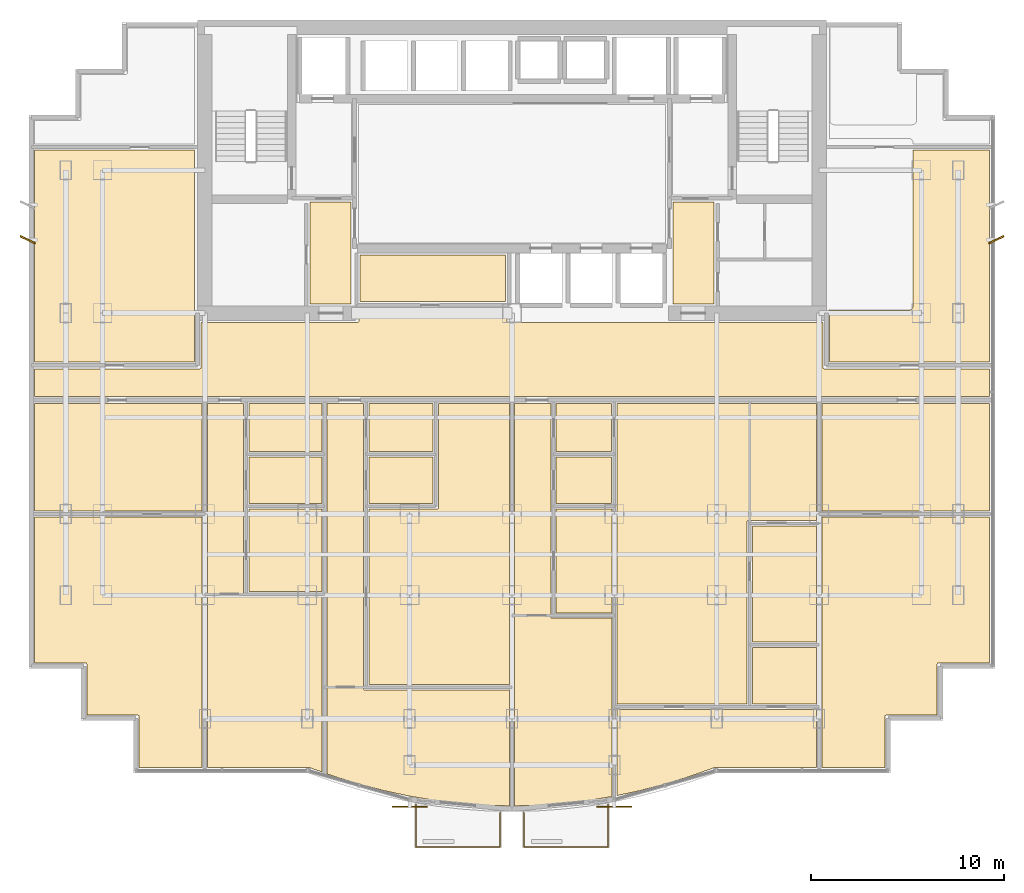
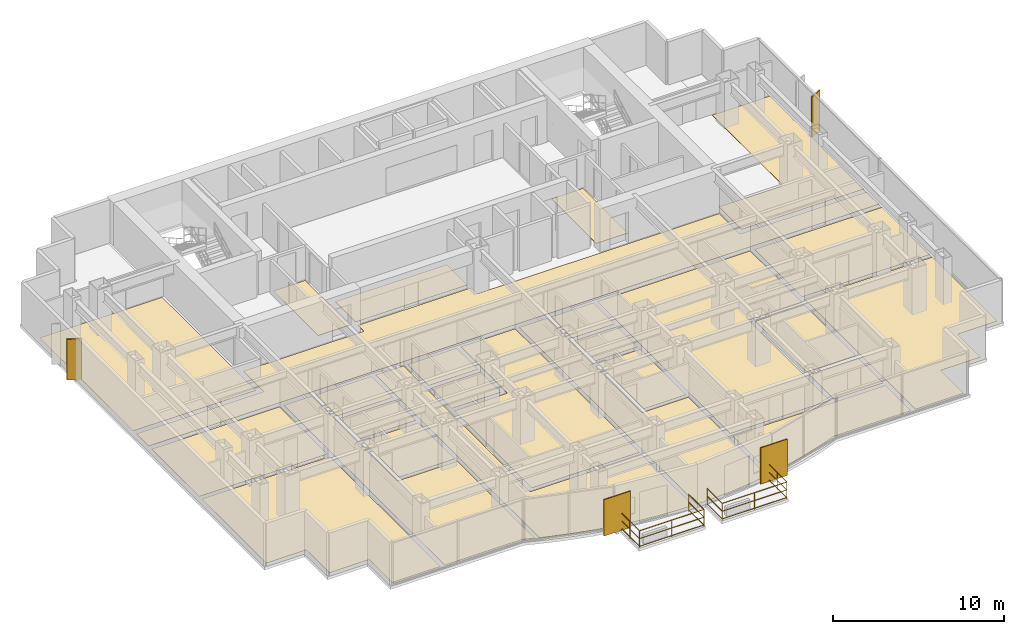
# One storey, part 11 of 12: 26 coverings, 4 shading devices, 2 railings.
"""IFC4 building model written with IfcOpenShell, lengths in metres."""

from ifc_helpers import new_model, si_unit, direction, frame, origin, origin_2d, place, context, subcontext, project, spatial, polyline, rectangle, circle, outline, extrude, source, transform, mapped, material, layer, layer_set, type_object, element, save


model = new_model("IFC4")

# Units and contexts
model_context = context("Model", 3, precision=1e-05, world=origin(), true_north=direction((0.0, 1.0)))
body_context = subcontext(model_context, "Body", "Model", "MODEL_VIEW")
ifc_project = project(units=[si_unit("LENGTHUNIT", "METRE"), si_unit("AREAUNIT", "SQUARE_METRE"), si_unit("VOLUMEUNIT", "CUBIC_METRE"), si_unit("PLANEANGLEUNIT", "RADIAN"), si_unit("MASSUNIT", "GRAM", prefix="KILO")], contexts=[model_context])

# Site, building, storey
site_placement = place(None, origin())
site = spatial("IfcSite", under=ifc_project, at=site_placement, CompositionType="ELEMENT")
building_placement = place(site_placement, origin())
building = spatial("IfcBuilding", under=site, at=building_placement, Name="Qianlan Lanfeng Residences", CompositionType="ELEMENT")
storey_placement = place(building_placement, frame((0.0, 0.0, 85.0)))
storey = spatial("IfcBuildingStorey", under=building, at=storey_placement, Name="L22", CompositionType="ELEMENT", Elevation=85.0)

# Coverings
ifc_material_1 = material(Name="Honed Taitung Granite Stone Flooring", Category="masonry")
ifc_layer_1 = layer(ifc_material_1, 0.030029296875)
ifc_layer_set_1 = layer_set([ifc_layer_1], Name="Honed Taitung Granite Stone Flooring")
covering_type_1 = type_object("IfcCoveringType", Name="FLR-STN-30", PredefinedType="FLOORING", material=ifc_layer_set_1)
covering_1_placement = place(storey_placement, origin())
element("IfcCovering", 1, at=covering_1_placement, inside=storey, type_object=covering_type_1, Name="L22 Residential Corridor Floor Finish", PredefinedType="FLOORING", context=body_context, shape_type="SweptSolid", body=[
    extrude(outline(polyline([(1.7900390625, 20.8798828125), (51.2099609375, 20.8798828125), (51.2099609375, 22.320068359375), (42.6650390625, 22.320068359375), (42.657958984375, 22.320068359375), (42.65087890625, 22.321044921875), (42.64501953125, 22.322998046875), (42.637939453125, 22.324951171875), (42.632080078125, 22.327880859375), (42.6259765625, 22.33203125), (42.62109375, 22.3359375), (42.615966796875, 22.341064453125), (42.611083984375, 22.345947265625), (42.60693359375, 22.35107421875), (42.60302734375, 22.35693359375), (42.60009765625, 22.363037109375), (42.597900390625, 22.3701171875), (42.595947265625, 22.3759765625), (42.594970703125, 22.383056640625), (42.594970703125, 22.389892578125), (42.594970703125, 24.72509765625), (26.300048828125, 24.72509765625), (26.29296875, 24.72509765625), (26.285888671875, 24.72607421875), (26.280029296875, 24.72802734375), (26.27294921875, 24.72998046875), (26.26708984375, 24.73291015625), (26.260986328125, 24.737060546875), (26.256103515625, 24.740966796875), (26.2509765625, 24.74609375), (26.24609375, 24.7509765625), (26.241943359375, 24.756103515625), (26.238037109375, 24.761962890625), (26.235107421875, 24.76806640625), (26.23291015625, 24.77490234375), (26.23095703125, 24.781005859375), (26.22998046875, 24.7880859375), (26.22998046875, 24.794921875), (26.22998046875, 25.429931640625), (18.570068359375, 25.429931640625), (18.570068359375, 24.794921875), (18.570068359375, 24.7880859375), (18.569091796875, 24.781005859375), (18.56689453125, 24.77490234375), (18.56494140625, 24.76806640625), (18.56201171875, 24.761962890625), (18.55810546875, 24.756103515625), (18.553955078125, 24.7509765625), (18.549072265625, 24.74609375), (18.5439453125, 24.740966796875), (18.5390625, 24.737060546875), (18.532958984375, 24.73291015625), (18.527099609375, 24.72998046875), (18.52001953125, 24.72802734375), (18.513916015625, 24.72607421875), (18.507080078125, 24.72509765625), (18.5, 24.72509765625), (10.405029296875, 24.72509765625), (10.405029296875, 22.389892578125), (10.405029296875, 22.383056640625), (10.404052734375, 22.3759765625), (10.402099609375, 22.3701171875), (10.39990234375, 22.363037109375), (10.39697265625, 22.35693359375), (10.39306640625, 22.35107421875), (10.388916015625, 22.345947265625), (10.384033203125, 22.341064453125), (10.37890625, 22.3359375), (10.3740234375, 22.33203125), (10.367919921875, 22.327880859375), (10.362060546875, 22.324951171875), (10.35498046875, 22.322998046875), (10.34912109375, 22.321044921875), (10.342041015625, 22.320068359375), (10.3349609375, 22.320068359375), (1.7900390625, 22.320068359375), (1.7900390625, 20.8798828125)])), origin(), (0.0, 0.0, 1.0), 0.030029296875),
])
covering_2_placement = place(storey_placement, origin())
element("IfcCovering", 2, at=covering_2_placement, inside=storey, type_object=covering_type_1, Name="L22 Lift Lobby Floor Finish", PredefinedType="FLOORING", context=body_context, shape_type="SweptSolid", body=[
    extrude(outline(polyline([(16.030029296875, 25.68505859375), (18.169921875, 25.68505859375), (18.169921875, 30.949951171875), (16.030029296875, 30.949951171875), (16.030029296875, 25.68505859375)])), origin(), (0.0, 0.0, 1.0), 0.030029296875),
])
covering_3_placement = place(storey_placement, origin())
element("IfcCovering", 3, at=covering_3_placement, inside=storey, type_object=covering_type_1, Name="L22 Lift Lobby Floor Finish", PredefinedType="FLOORING", context=body_context, shape_type="SweptSolid", body=[
    extrude(outline(polyline([(34.830078125, 25.68505859375), (36.969970703125, 25.68505859375), (36.969970703125, 30.949951171875), (34.830078125, 30.949951171875), (34.830078125, 25.68505859375)])), origin(), (0.0, 0.0, 1.0), 0.030029296875),
])
ifc_material_2 = material(Name="Slip-Resistant Porcelain Tile Flooring")
ifc_layer_2 = layer(ifc_material_2, 0.02001953125)
ifc_layer_set_2 = layer_set([ifc_layer_2], Name="Slip-Resistant Porcelain Tile Flooring")
covering_type_2 = type_object("IfcCoveringType", Name="FLR-TIL-20", PredefinedType="FLOORING", material=ifc_layer_set_2)
covering_4_placement = place(storey_placement, origin())
element("IfcCovering", 4, at=covering_4_placement, inside=storey, type_object=covering_type_2, Name="L22 Kitchen Floor Finish", PredefinedType="FLOORING", context=body_context, shape_type="SweptSolid", body=[
    extrude(outline(polyline([(12.889892578125, 15.340087890625), (16.659912109375, 15.340087890625), (16.659912109375, 17.760009765625), (12.889892578125, 17.760009765625), (12.889892578125, 15.340087890625)])), origin(), (0.0, 0.0, 1.0), 0.02001953125),
])
covering_5_placement = place(storey_placement, origin())
element("IfcCovering", 5, at=covering_5_placement, inside=storey, type_object=covering_type_2, Name="L22 Bathroom Floor Finish", PredefinedType="FLOORING", context=body_context, shape_type="SweptSolid", body=[
    extrude(outline(polyline([(12.889892578125, 18.0400390625), (16.659912109375, 18.0400390625), (16.659912109375, 20.530029296875), (12.889892578125, 20.530029296875), (12.889892578125, 18.0400390625)])), origin(), (0.0, 0.0, 1.0), 0.02001953125),
])
covering_6_placement = place(storey_placement, origin())
element("IfcCovering", 6, at=covering_6_placement, inside=storey, type_object=covering_type_2, Name="L22 Kitchen Floor Finish", PredefinedType="FLOORING", context=body_context, shape_type="SweptSolid", body=[
    extrude(outline(polyline([(19.090087890625, 15.340087890625), (22.409912109375, 15.340087890625), (22.409912109375, 17.760009765625), (19.090087890625, 17.760009765625), (19.090087890625, 15.340087890625)])), origin(), (0.0, 0.0, 1.0), 0.02001953125),
])
covering_7_placement = place(storey_placement, origin())
element("IfcCovering", 7, at=covering_7_placement, inside=storey, type_object=covering_type_2, Name="L22 Bathroom Floor Finish", PredefinedType="FLOORING", context=body_context, shape_type="SweptSolid", body=[
    extrude(outline(polyline([(19.090087890625, 18.0400390625), (22.409912109375, 18.0400390625), (22.409912109375, 20.530029296875), (19.090087890625, 20.530029296875), (19.090087890625, 18.0400390625)])), origin(), (0.0, 0.0, 1.0), 0.02001953125),
])
covering_8_placement = place(storey_placement, origin())
element("IfcCovering", 8, at=covering_8_placement, inside=storey, type_object=covering_type_2, Name="L22 Kitchen Floor Finish", PredefinedType="FLOORING", context=body_context, shape_type="SweptSolid", body=[
    extrude(outline(polyline([(28.7900390625, 15.340087890625), (31.659912109375, 15.340087890625), (31.659912109375, 17.760009765625), (28.7900390625, 17.760009765625), (28.7900390625, 15.340087890625)])), origin(), (0.0, 0.0, 1.0), 0.02001953125),
])
covering_9_placement = place(storey_placement, origin())
element("IfcCovering", 9, at=covering_9_placement, inside=storey, type_object=covering_type_2, Name="L22 Bathroom Floor Finish", PredefinedType="FLOORING", context=body_context, shape_type="SweptSolid", body=[
    extrude(outline(polyline([(28.7900390625, 18.0400390625), (31.659912109375, 18.0400390625), (31.659912109375, 20.530029296875), (28.7900390625, 20.530029296875), (28.7900390625, 18.0400390625)])), origin(), (0.0, 0.0, 1.0), 0.02001953125),
])
covering_10_placement = place(storey_placement, origin())
element("IfcCovering", 10, at=covering_10_placement, inside=storey, type_object=covering_type_2, Name="L22 En-Suite Bathroom Floor Finish", PredefinedType="FLOORING", context=body_context, shape_type="SweptSolid", body=[
    extrude(outline(polyline([(38.93994140625, 4.968017578125), (42.27001953125, 4.968017578125), (42.27001953125, 7.887939453125), (38.93994140625, 7.887939453125), (38.93994140625, 4.968017578125)])), origin(), (0.0, 0.0, 1.0), 0.02001953125),
])
ifc_material_3 = material(Name="Engineered Smoked Oak Timber Flooring", Category="wood")
ifc_layer_3 = layer(ifc_material_3, 0.02197265625)
ifc_layer_set_3 = layer_set([ifc_layer_3], Name="Engineered Smoked Oak Timber Flooring")
covering_type_3 = type_object("IfcCoveringType", Name="FLR-TIM-22", PredefinedType="FLOORING", material=ifc_layer_set_3)
covering_11_placement = place(storey_placement, origin())
element("IfcCovering", 11, at=covering_11_placement, inside=storey, type_object=covering_type_3, Name="L22 Resident Reading Lounge Floor Finish", PredefinedType="FLOORING", context=body_context, shape_type="SweptSolid", body=[
    extrude(outline(polyline([(18.6298828125, 25.800048828125), (26.169921875, 25.800048828125), (26.169921875, 28.205078125), (18.6298828125, 28.205078125), (18.6298828125, 25.800048828125)])), origin(), (0.0, 0.0, 1.0), 0.02197265625),
])
covering_12_placement = place(storey_placement, origin())
element("IfcCovering", 12, at=covering_12_placement, inside=storey, type_object=covering_type_3, Name="L22 Studio Living Room Floor Finish", PredefinedType="FLOORING", context=body_context, shape_type="SweptSolid", body=[
    extrude(outline(polyline([(16.669921875, 1.44189453125), (16.669921875, 10.511962890625), (12.679931640625, 10.511962890625), (12.673095703125, 10.511962890625), (12.666015625, 10.512939453125), (12.659912109375, 10.514892578125), (12.653076171875, 10.51708984375), (12.64697265625, 10.52001953125), (12.64111328125, 10.52392578125), (12.635986328125, 10.528076171875), (12.631103515625, 10.532958984375), (12.6259765625, 10.5380859375), (12.6220703125, 10.54296875), (12.617919921875, 10.549072265625), (12.614990234375, 10.554931640625), (12.613037109375, 10.56201171875), (12.611083984375, 10.568115234375), (12.610107421875, 10.574951171875), (12.610107421875, 10.58203125), (12.610107421875, 20.530029296875), (10.72998046875, 20.530029296875), (10.72998046875, 1.68994140625), (15.9580078125, 1.68994140625), (15.966064453125, 1.68994140625), (15.97412109375, 1.68798828125), (15.98095703125, 1.68603515625), (16.669921875, 1.44189453125)])), origin(), (0.0, 0.0, 1.0), 0.02197265625),
])
covering_13_placement = place(storey_placement, origin())
element("IfcCovering", 13, at=covering_13_placement, inside=storey, type_object=covering_type_3, Name="L22 Villa Family Sitting Room Floor Finish", PredefinedType="FLOORING", context=body_context, shape_type="SweptSolid", body=[
    extrude(outline(polyline([(12.889892578125, 15.06005859375), (12.889892578125, 10.7919921875), (16.669921875, 10.7919921875), (16.669921875, 15.06005859375), (12.889892578125, 15.06005859375)])), origin(), (0.0, 0.0, 1.0), 0.02197265625),
])
covering_14_placement = place(storey_placement, origin())
element("IfcCovering", 14, at=covering_14_placement, inside=storey, type_object=covering_type_3, Name="L22 Studio Living Room Floor Finish", PredefinedType="FLOORING", context=body_context, shape_type="SweptSolid", body=[
    extrude(outline(polyline([(26.3701171875, -0.306884765625), (26.3701171875, 5.68310546875), (18.8798828125, 5.68310546875), (18.873046875, 5.68310546875), (18.865966796875, 5.68408203125), (18.860107421875, 5.68603515625), (18.85302734375, 5.68798828125), (18.846923828125, 5.69091796875), (18.841064453125, 5.695068359375), (18.8359375, 5.698974609375), (18.8310546875, 5.7041015625), (18.825927734375, 5.708984375), (18.822021484375, 5.714111328125), (18.818115234375, 5.719970703125), (18.81494140625, 5.72607421875), (18.81298828125, 5.73291015625), (18.81103515625, 5.739013671875), (18.81005859375, 5.74609375), (18.81005859375, 5.7529296875), (18.81005859375, 20.530029296875), (16.929931640625, 20.530029296875), (16.929931640625, 1.34912109375), (17.3330078125, 1.2060546875), (18.64404296875, 0.803955078125), (19.9541015625, 0.462890625), (21.263916015625, 0.18505859375), (22.572998046875, -0.031982421875), (23.882080078125, -0.18603515625), (25.19091796875, -0.279052734375), (26.3701171875, -0.306884765625)])), origin(), (0.0, 0.0, 1.0), 0.02197265625),
])
covering_15_placement = place(storey_placement, origin())
element("IfcCovering", 15, at=covering_15_placement, inside=storey, type_object=covering_type_3, Name="L22 Villa Family Sitting Room Floor Finish", PredefinedType="FLOORING", context=body_context, shape_type="SweptSolid", body=[
    extrude(outline(polyline([(19.090087890625, 5.962890625), (26.3701171875, 5.962890625), (26.3701171875, 20.530029296875), (22.68994140625, 20.530029296875), (22.68994140625, 15.1298828125), (22.68994140625, 15.123046875), (22.68896484375, 15.115966796875), (22.68701171875, 15.110107421875), (22.68505859375, 15.10302734375), (22.681884765625, 15.096923828125), (22.677978515625, 15.091064453125), (22.674072265625, 15.0859375), (22.6689453125, 15.0810546875), (22.6640625, 15.075927734375), (22.658935546875, 15.072021484375), (22.653076171875, 15.068115234375), (22.64697265625, 15.06494140625), (22.639892578125, 15.06298828125), (22.634033203125, 15.06103515625), (22.626953125, 15.06005859375), (22.6201171875, 15.06005859375), (19.090087890625, 15.06005859375), (19.090087890625, 5.962890625)])), origin(), (0.0, 0.0, 1.0), 0.02197265625),
])
covering_16_placement = place(storey_placement, origin())
element("IfcCovering", 16, at=covering_16_placement, inside=storey, type_object=covering_type_3, Name="L22 Living and Dining Room Floor Finish", PredefinedType="FLOORING", context=body_context, shape_type="SweptSolid", body=[
    extrude(outline(polyline([(31.669921875, 0.174072265625), (31.669921875, 9.406982421875), (28.580078125, 9.406982421875), (28.572998046875, 9.406982421875), (28.56591796875, 9.407958984375), (28.56005859375, 9.409912109375), (28.552978515625, 9.412109375), (28.547119140625, 9.4150390625), (28.541015625, 9.4189453125), (28.535888671875, 9.423095703125), (28.531005859375, 9.427978515625), (28.52587890625, 9.43310546875), (28.52197265625, 9.43798828125), (28.51806640625, 9.444091796875), (28.514892578125, 9.449951171875), (28.512939453125, 9.45703125), (28.510986328125, 9.462890625), (28.510009765625, 9.469970703125), (28.510009765625, 9.47705078125), (28.510009765625, 20.530029296875), (26.6298828125, 20.530029296875), (26.6298828125, -0.306884765625), (27.80810546875, -0.279052734375), (29.117919921875, -0.18603515625), (30.426025390625, -0.031982421875), (31.669921875, 0.174072265625)])), origin(), (0.0, 0.0, 1.0), 0.02197265625),
])
covering_17_placement = place(storey_placement, origin())
element("IfcCovering", 17, at=covering_17_placement, inside=storey, type_object=covering_type_3, Name="L22 Villa Family Sitting Room Floor Finish", PredefinedType="FLOORING", context=body_context, shape_type="SweptSolid", body=[
    extrude(outline(polyline([(28.7900390625, 15.06005859375), (28.7900390625, 9.68701171875), (31.669921875, 9.68701171875), (31.669921875, 15.06005859375), (28.7900390625, 15.06005859375)])), origin(), (0.0, 0.0, 1.0), 0.02197265625),
])
covering_18_placement = place(storey_placement, origin())
element("IfcCovering", 18, at=covering_18_placement, inside=storey, type_object=covering_type_3, Name="L22 Private Study Floor Finish", PredefinedType="FLOORING", context=body_context, shape_type="SweptSolid", body=[
    extrude(outline(polyline([(38.93994140625, 8.16796875), (42.27001953125, 8.16796875), (42.27001953125, 14.174072265625), (38.93994140625, 14.174072265625), (38.93994140625, 8.16796875)])), origin(), (0.0, 0.0, 1.0), 0.02197265625),
])
covering_19_placement = place(storey_placement, origin())
element("IfcCovering", 19, at=covering_19_placement, inside=storey, type_object=covering_type_3, Name="L22 Villa Family Sitting Room Floor Finish", PredefinedType="FLOORING", context=body_context, shape_type="SweptSolid", body=[
    extrude(outline(polyline([(31.929931640625, 4.968017578125), (38.659912109375, 4.968017578125), (38.659912109375, 14.384033203125), (38.659912109375, 14.39111328125), (38.660888671875, 14.39794921875), (38.6630859375, 14.404052734375), (38.6650390625, 14.410888671875), (38.66796875, 14.4169921875), (38.672119140625, 14.423095703125), (38.676025390625, 14.427978515625), (38.680908203125, 14.43310546875), (38.68603515625, 14.43798828125), (38.69091796875, 14.44189453125), (38.697021484375, 14.446044921875), (38.702880859375, 14.448974609375), (38.7099609375, 14.450927734375), (38.716064453125, 14.452880859375), (38.722900390625, 14.4541015625), (38.72998046875, 14.4541015625), (42.27001953125, 14.4541015625), (42.27001953125, 20.530029296875), (31.929931640625, 20.530029296875), (31.929931640625, 4.968017578125)])), origin(), (0.0, 0.0, 1.0), 0.02197265625),
])
covering_20_placement = place(storey_placement, origin())
element("IfcCovering", 20, at=covering_20_placement, inside=storey, type_object=covering_type_3, Name="L22 Master Bedroom Floor Finish", PredefinedType="FLOORING", context=body_context, shape_type="SweptSolid", body=[
    extrude(outline(polyline([(31.929931640625, 4.68798828125), (31.929931640625, 0.22607421875), (33.044921875, 0.462890625), (34.35595703125, 0.803955078125), (35.6669921875, 1.2060546875), (37.01904296875, 1.68603515625), (37.02587890625, 1.68798828125), (37.033935546875, 1.68994140625), (37.0419921875, 1.68994140625), (42.27001953125, 1.68994140625), (42.27001953125, 4.68798828125), (31.929931640625, 4.68798828125)])), origin(), (0.0, 0.0, 1.0), 0.02197265625),
])
covering_21_placement = place(storey_placement, origin())
element("IfcCovering", 21, at=covering_21_placement, inside=storey, type_object=covering_type_3, Name="L22 Sunroom Floor Finish", PredefinedType="FLOORING", context=body_context, shape_type="SweptSolid", body=[
    extrude(outline(polyline([(10.43994140625, 14.64990234375), (1.7900390625, 14.64990234375), (1.7900390625, 7.090087890625), (4.419921875, 7.090087890625), (4.427001953125, 7.090087890625), (4.43408203125, 7.089111328125), (4.43994140625, 7.0869140625), (4.447021484375, 7.0849609375), (4.452880859375, 7.08203125), (4.458984375, 7.077880859375), (4.464111328125, 7.073974609375), (4.468994140625, 7.069091796875), (4.47412109375, 7.06396484375), (4.47802734375, 7.05908203125), (4.48193359375, 7.052978515625), (4.485107421875, 7.047119140625), (4.487060546875, 7.0400390625), (4.489013671875, 7.033935546875), (4.489990234375, 7.027099609375), (4.489990234375, 7.02001953125), (4.489990234375, 4.389892578125), (7.1201171875, 4.389892578125), (7.126953125, 4.389892578125), (7.134033203125, 4.388916015625), (7.139892578125, 4.386962890625), (7.14697265625, 4.385009765625), (7.153076171875, 4.382080078125), (7.158935546875, 4.3779296875), (7.1640625, 4.3740234375), (7.1689453125, 4.368896484375), (7.174072265625, 4.364013671875), (7.177978515625, 4.35888671875), (7.181884765625, 4.35302734375), (7.18505859375, 4.346923828125), (7.18701171875, 4.340087890625), (7.18896484375, 4.333984375), (7.18994140625, 4.326904296875), (7.18994140625, 4.320068359375), (7.18994140625, 1.68994140625), (10.43994140625, 1.68994140625), (10.43994140625, 14.64990234375)])), origin(), (0.0, 0.0, 1.0), 0.02197265625),
])
covering_22_placement = place(storey_placement, origin())
element("IfcCovering", 22, at=covering_22_placement, inside=storey, type_object=covering_type_3, Name="L22 Family Sitting Room Floor Finish", PredefinedType="FLOORING", context=body_context, shape_type="SweptSolid", body=[
    extrude(outline(polyline([(10.43994140625, 20.530029296875), (1.7900390625, 20.530029296875), (1.7900390625, 14.949951171875), (10.43994140625, 14.949951171875), (10.43994140625, 20.530029296875)])), origin(), (0.0, 0.0, 1.0), 0.02197265625),
])
covering_23_placement = place(storey_placement, origin())
element("IfcCovering", 23, at=covering_23_placement, inside=storey, type_object=covering_type_3, Name="L22 Sunroom Floor Finish", PredefinedType="FLOORING", context=body_context, shape_type="SweptSolid", body=[
    extrude(outline(polyline([(51.2099609375, 14.64990234375), (42.56005859375, 14.64990234375), (42.56005859375, 1.68994140625), (45.81005859375, 1.68994140625), (45.81005859375, 4.320068359375), (45.81005859375, 4.326904296875), (45.81103515625, 4.333984375), (45.81298828125, 4.340087890625), (45.81494140625, 4.346923828125), (45.818115234375, 4.35302734375), (45.822021484375, 4.35888671875), (45.825927734375, 4.364013671875), (45.8310546875, 4.368896484375), (45.8359375, 4.3740234375), (45.841064453125, 4.3779296875), (45.846923828125, 4.382080078125), (45.85302734375, 4.385009765625), (45.860107421875, 4.386962890625), (45.865966796875, 4.388916015625), (45.873046875, 4.389892578125), (45.8798828125, 4.389892578125), (48.510009765625, 4.389892578125), (48.510009765625, 7.02001953125), (48.510009765625, 7.027099609375), (48.510986328125, 7.033935546875), (48.512939453125, 7.0400390625), (48.514892578125, 7.047119140625), (48.51806640625, 7.052978515625), (48.52197265625, 7.05908203125), (48.52587890625, 7.06396484375), (48.531005859375, 7.069091796875), (48.535888671875, 7.073974609375), (48.541015625, 7.077880859375), (48.547119140625, 7.08203125), (48.552978515625, 7.0849609375), (48.56005859375, 7.0869140625), (48.56591796875, 7.089111328125), (48.572998046875, 7.090087890625), (48.580078125, 7.090087890625), (51.2099609375, 7.090087890625), (51.2099609375, 14.64990234375)])), origin(), (0.0, 0.0, 1.0), 0.02197265625),
])
covering_24_placement = place(storey_placement, origin())
element("IfcCovering", 24, at=covering_24_placement, inside=storey, type_object=covering_type_3, Name="L22 Private Study Floor Finish", PredefinedType="FLOORING", context=body_context, shape_type="SweptSolid", body=[
    extrude(outline(polyline([(51.2099609375, 20.530029296875), (42.56005859375, 20.530029296875), (42.56005859375, 14.949951171875), (51.2099609375, 14.949951171875), (51.2099609375, 20.530029296875)])), origin(), (0.0, 0.0, 1.0), 0.02197265625),
])
covering_25_placement = place(storey_placement, origin())
element("IfcCovering", 25, at=covering_25_placement, inside=storey, type_object=covering_type_3, Name="L22 Business Meeting Room Floor Finish", PredefinedType="FLOORING", context=body_context, shape_type="SweptSolid", body=[
    extrude(outline(polyline([(10.074951171875, 33.64990234375), (1.7900390625, 33.64990234375), (1.7900390625, 22.679931640625), (10.074951171875, 22.679931640625), (10.074951171875, 33.64990234375)])), origin(), (0.0, 0.0, 1.0), 0.02197265625),
])
covering_26_placement = place(storey_placement, origin())
element("IfcCovering", 26, at=covering_26_placement, inside=storey, type_object=covering_type_3, Name="L22 Business Meeting Room Floor Finish", PredefinedType="FLOORING", context=body_context, shape_type="SweptSolid", body=[
    extrude(outline(polyline([(51.2099609375, 33.64990234375), (47.27001953125, 33.64990234375), (47.27001953125, 25.60009765625), (47.26904296875, 25.574951171875), (47.264892578125, 25.551025390625), (47.259033203125, 25.527099609375), (47.2509765625, 25.50390625), (47.239990234375, 25.48193359375), (47.22802734375, 25.4609375), (47.212890625, 25.44091796875), (47.197021484375, 25.423095703125), (47.178955078125, 25.406982421875), (47.158935546875, 25.39208984375), (47.137939453125, 25.3798828125), (47.115966796875, 25.368896484375), (47.093017578125, 25.361083984375), (47.069091796875, 25.35498046875), (47.044921875, 25.35107421875), (47.02001953125, 25.35009765625), (43.080078125, 25.35009765625), (43.054931640625, 25.35107421875), (43.031005859375, 25.35498046875), (43.007080078125, 25.361083984375), (42.98388671875, 25.368896484375), (42.9619140625, 25.3798828125), (42.94091796875, 25.39208984375), (42.925048828125, 25.404052734375), (42.925048828125, 22.679931640625), (51.2099609375, 22.679931640625), (51.2099609375, 33.64990234375)])), origin(), (0.0, 0.0, 1.0), 0.02197265625),
])

# Railings
ifc_material_4 = material(Name="Anodised Bronze Aluminium and Laminated Glass Guard Balustrade", Category="aluminium")
railing_type = type_object("IfcRailingType", Name="GR-EXT-1220", PredefinedType="BALUSTRADE", material=ifc_material_4)
railing_1_placement = place(storey_placement, frame((25.8798828125, -0.655029296875, 0.0)))
element("IfcRailing", 27, at=railing_1_placement, inside=storey, type_object=railing_type, Name="L22 Terrace Safety Guard GR-L22-SB-W", PredefinedType="BALUSTRADE", context=body_context, shape_type="SweptSolid", body=[
    extrude(circle(Radius=0.02490234375, at=origin_2d()), frame((0.0, 0.0, 0.0849609375), z_axis=(0.0, -1.0, 0.0), x_axis=(1.0, 0.0, 0.0)), (0.0, 0.0, 1.0), 1.77490234375),
    extrude(circle(Radius=0.02490234375, at=origin_2d()), frame((0.0, 0.0, 0.63427734375), z_axis=(0.0, -1.0, 0.0), x_axis=(1.0, 0.0, 0.0)), (0.0, 0.0, 1.0), 1.77490234375),
    extrude(circle(Radius=0.02490234375, at=origin_2d()), frame((0.0, 0.0, 1.19482421875), z_axis=(0.0, -1.0, 0.0), x_axis=(1.0, 0.0, 0.0)), (0.0, 0.0, 1.0), 1.77490234375),
    extrude(circle(Radius=0.02490234375, at=origin_2d()), frame((0.0, -1.77490234375, 0.0849609375), z_axis=(-1.0, 0.0, 0.0), x_axis=(0.0, -1.0, 0.0)), (0.0, 0.0, 1.0), 4.35986328125),
    extrude(circle(Radius=0.02490234375, at=origin_2d()), frame((0.0, -1.77490234375, 0.63427734375), z_axis=(-1.0, 0.0, 0.0), x_axis=(0.0, -1.0, 0.0)), (0.0, 0.0, 1.0), 4.35986328125),
    extrude(circle(Radius=0.02490234375, at=origin_2d()), frame((0.0, -1.77490234375, 1.19482421875), z_axis=(-1.0, 0.0, 0.0), x_axis=(0.0, -1.0, 0.0)), (0.0, 0.0, 1.0), 4.35986328125),
    extrude(circle(Radius=0.02490234375, at=origin_2d()), frame((-4.35986328125, -1.77490234375, 0.0849609375), z_axis=(0.0, 1.0, 0.0), x_axis=(-1.0, 0.0, 0.0)), (0.0, 0.0, 1.0), 2.20703125),
    extrude(circle(Radius=0.02490234375, at=origin_2d()), frame((-4.35986328125, -1.77490234375, 0.63427734375), z_axis=(0.0, 1.0, 0.0), x_axis=(-1.0, 0.0, 0.0)), (0.0, 0.0, 1.0), 2.20703125),
    extrude(circle(Radius=0.02490234375, at=origin_2d()), frame((-4.35986328125, -1.77490234375, 1.19482421875), z_axis=(0.0, 1.0, 0.0), x_axis=(-1.0, 0.0, 0.0)), (0.0, 0.0, 1.0), 2.20703125),
    extrude(circle(Radius=0.02099609375, at=origin_2d()), origin(), (0.0, 0.0, 1.0), 1.169921875),
    extrude(circle(Radius=0.02099609375, at=origin_2d()), frame((0.0, -1.77490234375, 0.0)), (0.0, 0.0, 1.0), 1.169921875),
    extrude(circle(Radius=0.02099609375, at=origin_2d()), frame((-2.179931640625, -1.77490234375, 0.0)), (0.0, 0.0, 1.0), 1.169921875),
    extrude(circle(Radius=0.02099609375, at=origin_2d()), frame((-4.35986328125, -1.77490234375, 0.0)), (0.0, 0.0, 1.0), 1.169921875),
    extrude(circle(Radius=0.02099609375, at=origin_2d()), frame((-4.35986328125, -0.67138671875, 0.0)), (0.0, 0.0, 1.0), 1.169921875),
    extrude(circle(Radius=0.02099609375, at=origin_2d()), frame((-4.35986328125, 0.43212890625, 0.0)), (0.0, 0.0, 1.0), 1.169921875),
])
railing_2_placement = place(storey_placement, frame((31.47998046875, -0.222900390625, 0.0)))
element("IfcRailing", 28, at=railing_2_placement, inside=storey, type_object=railing_type, Name="L22 Terrace Safety Guard GR-L22-SB-E", PredefinedType="BALUSTRADE", context=body_context, shape_type="SweptSolid", body=[
    extrude(circle(Radius=0.02490234375, at=origin_2d()), frame((0.0, 0.0, 0.0849609375), z_axis=(0.0, -1.0, 0.0), x_axis=(1.0, 0.0, 0.0)), (0.0, 0.0, 1.0), 2.20703125),
    extrude(circle(Radius=0.02490234375, at=origin_2d()), frame((0.0, 0.0, 0.63427734375), z_axis=(0.0, -1.0, 0.0), x_axis=(1.0, 0.0, 0.0)), (0.0, 0.0, 1.0), 2.20703125),
    extrude(circle(Radius=0.02490234375, at=origin_2d()), frame((0.0, 0.0, 1.19482421875), z_axis=(0.0, -1.0, 0.0), x_axis=(1.0, 0.0, 0.0)), (0.0, 0.0, 1.0), 2.20703125),
    extrude(circle(Radius=0.02490234375, at=origin_2d()), frame((0.0, -2.20703125, 0.0849609375), z_axis=(-1.0, 0.0, 0.0), x_axis=(0.0, -1.0, 0.0)), (0.0, 0.0, 1.0), 4.35986328125),
    extrude(circle(Radius=0.02490234375, at=origin_2d()), frame((0.0, -2.20703125, 0.63427734375), z_axis=(-1.0, 0.0, 0.0), x_axis=(0.0, -1.0, 0.0)), (0.0, 0.0, 1.0), 4.35986328125),
    extrude(circle(Radius=0.02490234375, at=origin_2d()), frame((0.0, -2.20703125, 1.19482421875), z_axis=(-1.0, 0.0, 0.0), x_axis=(0.0, -1.0, 0.0)), (0.0, 0.0, 1.0), 4.35986328125),
    extrude(circle(Radius=0.02490234375, at=origin_2d()), frame((-4.35986328125, -2.20703125, 0.0849609375), z_axis=(0.0, 1.0, 0.0), x_axis=(-1.0, 0.0, 0.0)), (0.0, 0.0, 1.0), 1.77490234375),
    extrude(circle(Radius=0.02490234375, at=origin_2d()), frame((-4.35986328125, -2.20703125, 0.63427734375), z_axis=(0.0, 1.0, 0.0), x_axis=(-1.0, 0.0, 0.0)), (0.0, 0.0, 1.0), 1.77490234375),
    extrude(circle(Radius=0.02490234375, at=origin_2d()), frame((-4.35986328125, -2.20703125, 1.19482421875), z_axis=(0.0, 1.0, 0.0), x_axis=(-1.0, 0.0, 0.0)), (0.0, 0.0, 1.0), 1.77490234375),
    extrude(circle(Radius=0.02099609375, at=origin_2d()), origin(), (0.0, 0.0, 1.0), 1.169921875),
    extrude(circle(Radius=0.02099609375, at=origin_2d()), frame((0.0, -1.103515625, 0.0)), (0.0, 0.0, 1.0), 1.169921875),
    extrude(circle(Radius=0.02099609375, at=origin_2d()), frame((0.0, -2.20703125, 0.0)), (0.0, 0.0, 1.0), 1.169921875),
    extrude(circle(Radius=0.02099609375, at=origin_2d()), frame((-2.179931640625, -2.20703125, 0.0)), (0.0, 0.0, 1.0), 1.169921875),
    extrude(circle(Radius=0.02099609375, at=origin_2d()), frame((-4.35986328125, -2.20703125, 0.0)), (0.0, 0.0, 1.0), 1.169921875),
    extrude(circle(Radius=0.02099609375, at=origin_2d()), frame((-4.35986328125, -0.43212890625, 0.0)), (0.0, 0.0, 1.0), 1.169921875),
])

# Shading devices
ifc_material_5 = material(Name="Perforated Bronze Aluminium Solar Screen", Category="aluminium")
shading_device_type_1 = type_object("IfcShadingDeviceType", Name="SCR-BRZ-1800", PredefinedType="JALOUSIE", material=ifc_material_5)
shared_shape_1 = source(origin(), body_context, "Body", "SweptSolid", [
    extrude(rectangle(XDim=1.800048828125, YDim=0.06005859375, at=origin_2d()), origin(), (0.0, 0.0, 1.0), 2.60009765625),
])
for number, where, z_axis, x_axis, name in (
    (29, (21.199951171875, -0.360107421875, 0.0), (0.0, 0.0, 1.0), (1.0, 0.0, 0.0), "L22 Perforated Bronze Solar Screen 1"),
    (30, (31.800048828125, -0.360107421875, 0.0), (0.0, 0.0, 1.0), (1.0, 0.0, 0.0), "L22 Perforated Bronze Solar Screen 2"),
):
    element("IfcShadingDevice", number, at=place(storey_placement, frame(where, z_axis=z_axis, x_axis=x_axis)), inside=storey, type_object=shading_device_type_1, Name=name, PredefinedType="JALOUSIE", context=body_context, shape_type="MappedRepresentation", body=[
        mapped(shared_shape_1, transform((0.0, 0.0, 0.0), scale=1.0)),
    ])
ifc_material_6 = material(Name="Anodised Bronze Aluminium Solar Fin", Category="aluminium")
shading_device_type_2 = type_object("IfcShadingDeviceType", Name="FIN-BRZ-850", PredefinedType="SHUTTER", material=ifc_material_6)
shared_shape_2 = source(origin(), body_context, "Body", "SweptSolid", [
    extrude(rectangle(XDim=0.85009765625, YDim=0.080078125, at=origin_2d()), origin(), (0.0, 0.0, 1.0), 2.89990234375),
])
for number, where, z_axis, x_axis, name in (
    (31, (1.429931640625, 29.0, 0.0), (0.0, 0.0, 1.0), (0.898794046299, -0.438371146789, 0.0), "L22 Raked Bronze Solar Fin W1"),
    (32, (51.570068359375, 29.0, 0.0), (0.0, 0.0, 1.0), (0.898794046299, 0.438371146789, 0.0), "L22 Raked Bronze Solar Fin E1"),
):
    element("IfcShadingDevice", number, at=place(storey_placement, frame(where, z_axis=z_axis, x_axis=x_axis)), inside=storey, type_object=shading_device_type_2, Name=name, PredefinedType="SHUTTER", context=body_context, shape_type="MappedRepresentation", body=[
        mapped(shared_shape_2, transform((0.0, 0.0, 0.0), scale=1.0)),
    ])

save(model, "model.ifc")
